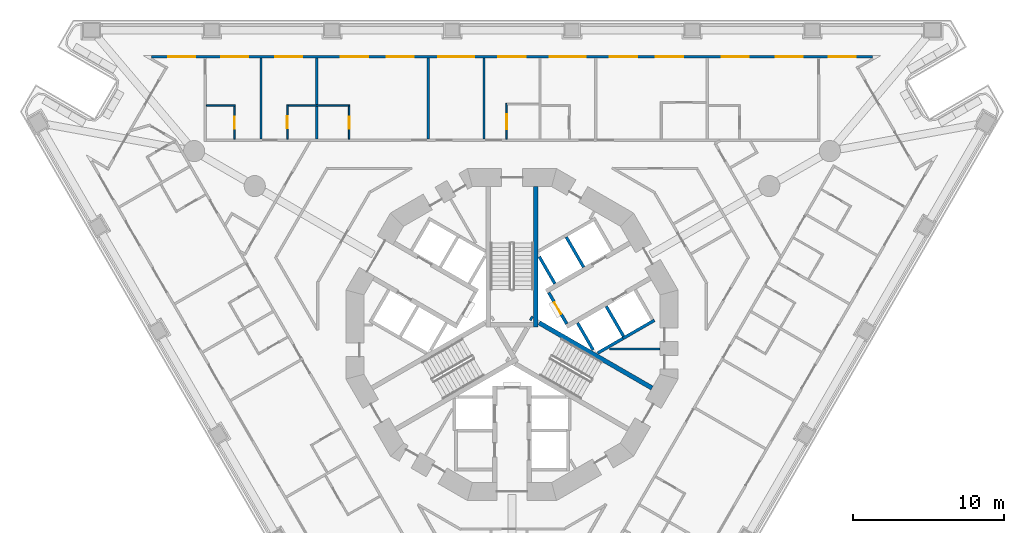
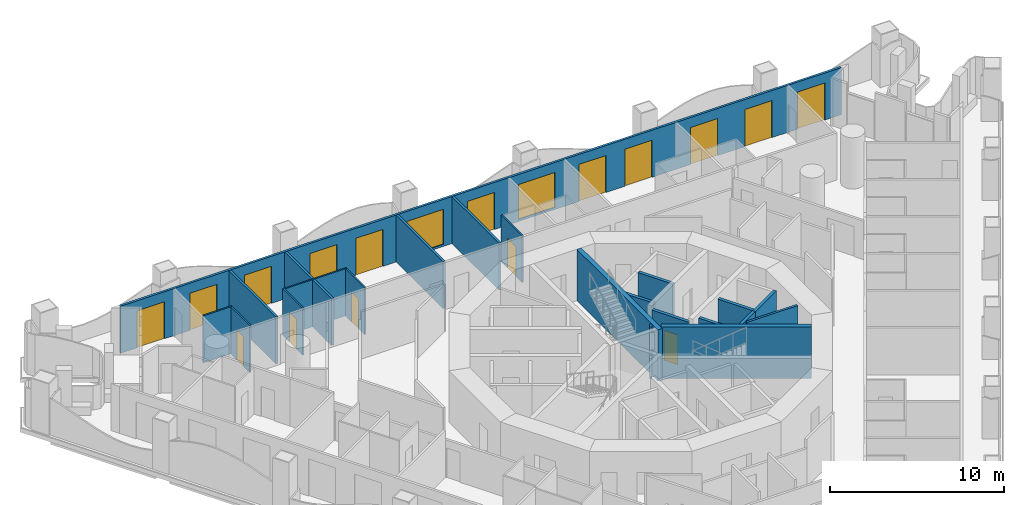
# One storey, part 8 of 20: 22 walls, 16 doors, 2 windows, 18 openings.
"""IFC4 building model written with IfcOpenShell, lengths in metres."""

from ifc_helpers import new_model, si_unit, direction, frame, frame_2d, origin, place, context, subcontext, project, spatial, polyline, rectangle, outline, extrude, material, layer, layer_set, type_object, element, fill, save


model = new_model("IFC4")

# Units and contexts
model_context = context("Model", 3, precision=1e-05, world=origin(), true_north=direction((0.0, 1.0)))
body_context = subcontext(model_context, "Body", "Model", "MODEL_VIEW")
ifc_project = project(units=[si_unit("LENGTHUNIT", "METRE"), si_unit("AREAUNIT", "SQUARE_METRE"), si_unit("VOLUMEUNIT", "CUBIC_METRE"), si_unit("PLANEANGLEUNIT", "RADIAN"), si_unit("MASSUNIT", "GRAM", prefix="KILO")], contexts=[model_context])

# Site, building, storey
site_placement = place(None, origin())
site = spatial("IfcSite", under=ifc_project, at=site_placement, CompositionType="ELEMENT")
building_placement = place(site_placement, origin())
building = spatial("IfcBuilding", under=site, at=building_placement, Name="Trine Commons Tower", CompositionType="ELEMENT")
storey_placement = place(building_placement, frame((0.0, 0.0, 38.699951171875)))
storey = spatial("IfcBuildingStorey", under=building, at=storey_placement, Name="L08", CompositionType="ELEMENT", Elevation=38.699951171875)

# Wall
ifc_material_1 = material(Name="Plasterboard partition on steel studs", Category="steel")
ifc_layer_1 = layer(ifc_material_1, 0.14990234375)
ifc_layer_set_1 = layer_set([ifc_layer_1], Name="Plasterboard partition on steel studs")
wall_type_1 = type_object("IfcWallType", Name="Core room partition 150 mm, EI 60", PredefinedType="PARTITIONING", material=ifc_layer_set_1)
wall_1_placement = place(storey_placement, frame((89.81201171875, 61.537109375, 0.0), z_axis=(0.0, 0.0, 1.0), x_axis=(-1.0, 0.0, 0.0)))
element("IfcWall", 1, at=wall_1_placement, inside=storey, type_object=wall_type_1, Name="Core room partition L08", PredefinedType="PARTITIONING", context=body_context, shape_type="SweptSolid", body=[
    extrude(rectangle(XDim=3.35107421875, YDim=0.14990234375, at=frame_2d((1.675537109375, 0.0))), origin(), (0.0, 0.0, 1.0), 3.300048828125),
])

# Wall, openings, windows, doors
ifc_material_2 = material(Name="Aluminium-framed insulated wall panel", Category="aluminium")
ifc_layer_2 = layer(ifc_material_2, 0.14990234375)
ifc_layer_set_2 = layer_set([ifc_layer_2], Name="Aluminium-framed insulated wall panel")
wall_type_2 = type_object("IfcWallType", Name="Glazed frame wall 150, EI 60", PredefinedType="SOLIDWALL", material=ifc_layer_set_2)
wall_2_placement = place(storey_placement, frame((55.956787109375, 80.919677734375, 0.0), z_axis=(0.0, 0.0, 1.0), x_axis=(1.0, 0.0, 0.0)))
wall_2 = element("IfcWall", 2, at=wall_2_placement, inside=storey, type_object=wall_type_2, Name="Glazed frame wall F1", PredefinedType="SOLIDWALL", context=body_context, shape_type="SweptSolid", body=[
    extrude(outline(polyline([(0.1494140625, 0.074951171875), (0.1494140625, -0.074951171875), (47.93701171875, -0.074951171875), (47.93701171875, 0.074951171875), (0.1494140625, 0.074951171875)])), origin(), (0.0, 0.0, 1.0), 3.300048828125),
])
opening_1_placement = place(wall_2_placement, frame((1.24951171875, 0.0, 0.0)))
opening_1 = element("IfcOpeningElement", 3, at=opening_1_placement, cuts=wall_2, Name="Opening BD-1F1-01", PredefinedType="OPENING", context=body_context, shape_type="SweptSolid", body=[
    extrude(rectangle(XDim=1.800048828125, YDim=2.60009765625, at=frame_2d((0.89990234375, 1.300048828125))), frame((0.0, 0.0849609375, 0.0), z_axis=(0.0, -1.0, 0.0), x_axis=(1.0, 0.0, 0.0)), (0.0, 0.0, 1.0), 0.169921875),
])
opening_2_placement = place(wall_2_placement, frame((4.748291015625, 0.0, 0.0)))
opening_2 = element("IfcOpeningElement", 4, at=opening_2_placement, cuts=wall_2, Name="Opening BD-1F1-02", PredefinedType="OPENING", context=body_context, shape_type="SweptSolid", body=[
    extrude(rectangle(XDim=1.800048828125, YDim=2.60009765625, at=frame_2d((0.89990234375, 1.300048828125))), frame((0.0, 0.0849609375, 0.0), z_axis=(0.0, -1.0, 0.0), x_axis=(1.0, 0.0, 0.0)), (0.0, 0.0, 1.0), 0.169921875),
])
opening_3_placement = place(wall_2_placement, frame((8.347412109375, 0.0, 0.0)))
opening_3 = element("IfcOpeningElement", 5, at=opening_3_placement, cuts=wall_2, Name="Opening BD-1F1-03", PredefinedType="OPENING", context=body_context, shape_type="SweptSolid", body=[
    extrude(rectangle(XDim=1.800048828125, YDim=2.60009765625, at=frame_2d((0.89990234375, 1.300048828125))), frame((0.0, 0.0849609375, 0.0), z_axis=(0.0, -1.0, 0.0), x_axis=(1.0, 0.0, 0.0)), (0.0, 0.0, 1.0), 0.169921875),
])
opening_4_placement = place(wall_2_placement, frame((12.69580078125, 0.0, 0.0)))
opening_4 = element("IfcOpeningElement", 6, at=opening_4_placement, cuts=wall_2, Name="Opening BD-1F1-04", PredefinedType="OPENING", context=body_context, shape_type="SweptSolid", body=[
    extrude(rectangle(XDim=1.800048828125, YDim=2.60009765625, at=frame_2d((0.89990234375, 1.300048828125))), frame((0.0, 0.0849609375, 0.0), z_axis=(0.0, -1.0, 0.0), x_axis=(1.0, 0.0, 0.0)), (0.0, 0.0, 1.0), 0.169921875),
])
opening_5_placement = place(wall_2_placement, frame((15.7451171875, 0.0, 0.0)))
opening_5 = element("IfcOpeningElement", 7, at=opening_5_placement, cuts=wall_2, Name="Opening BD-1F1-05", PredefinedType="OPENING", context=body_context, shape_type="SweptSolid", body=[
    extrude(rectangle(XDim=1.800048828125, YDim=2.60009765625, at=frame_2d((0.89990234375, 1.300048828125))), frame((0.0, 0.0849609375, 0.0), z_axis=(0.0, -1.0, 0.0), x_axis=(1.0, 0.0, 0.0)), (0.0, 0.0, 1.0), 0.169921875),
])
opening_6_placement = place(wall_2_placement, frame((19.14404296875, 0.0, 0.14990234375)))
opening_6 = element("IfcOpeningElement", 8, at=opening_6_placement, cuts=wall_2, Name="Opening W-1F1-06", PredefinedType="OPENING", context=body_context, shape_type="SweptSolid", body=[
    extrude(rectangle(XDim=2.39990234375, YDim=2.449951171875, at=frame_2d((1.199951171875, 1.22509765625))), frame((0.0, 0.0849609375, 0.0), z_axis=(0.0, -1.0, 0.0), x_axis=(1.0, 0.0, 0.0)), (0.0, 0.0, 1.0), 0.169921875),
])
opening_7_placement = place(wall_2_placement, frame((23.142822265625, 0.0, 0.0)))
opening_7 = element("IfcOpeningElement", 9, at=opening_7_placement, cuts=wall_2, Name="Opening BD-1F1-07", PredefinedType="OPENING", context=body_context, shape_type="SweptSolid", body=[
    extrude(rectangle(XDim=1.800048828125, YDim=2.60009765625, at=frame_2d((0.89990234375, 1.300048828125))), frame((0.0, 0.0849609375, 0.0), z_axis=(0.0, -1.0, 0.0), x_axis=(1.0, 0.0, 0.0)), (0.0, 0.0, 1.0), 0.169921875),
])
opening_8_placement = place(wall_2_placement, frame((26.541748046875, 0.0, 0.14990234375)))
opening_8 = element("IfcOpeningElement", 10, at=opening_8_placement, cuts=wall_2, Name="Opening W-1F1-08", PredefinedType="OPENING", context=body_context, shape_type="SweptSolid", body=[
    extrude(rectangle(XDim=2.39990234375, YDim=2.449951171875, at=frame_2d((1.199951171875, 1.22509765625))), frame((0.0, 0.0849609375, 0.0), z_axis=(0.0, -1.0, 0.0), x_axis=(1.0, 0.0, 0.0)), (0.0, 0.0, 1.0), 0.169921875),
])
opening_9_placement = place(wall_2_placement, frame((30.54052734375, 0.0, 0.0)))
opening_9 = element("IfcOpeningElement", 11, at=opening_9_placement, cuts=wall_2, Name="Opening BD-1F1-09", PredefinedType="OPENING", context=body_context, shape_type="SweptSolid", body=[
    extrude(rectangle(XDim=1.800048828125, YDim=2.60009765625, at=frame_2d((0.89990234375, 1.300048828125))), frame((0.0, 0.0849609375, 0.0), z_axis=(0.0, -1.0, 0.0), x_axis=(1.0, 0.0, 0.0)), (0.0, 0.0, 1.0), 0.169921875),
])
opening_10_placement = place(wall_2_placement, frame((33.590087890625, 0.0, 0.0)))
opening_10 = element("IfcOpeningElement", 12, at=opening_10_placement, cuts=wall_2, Name="Opening BD-1F1-10", PredefinedType="OPENING", context=body_context, shape_type="SweptSolid", body=[
    extrude(rectangle(XDim=1.800048828125, YDim=2.60009765625, at=frame_2d((0.89990234375, 1.300048828125))), frame((0.0, 0.0849609375, 0.0), z_axis=(0.0, -1.0, 0.0), x_axis=(1.0, 0.0, 0.0)), (0.0, 0.0, 1.0), 0.169921875),
])
opening_11_placement = place(wall_2_placement, frame((37.9384765625, 0.0, 0.0)))
opening_11 = element("IfcOpeningElement", 13, at=opening_11_placement, cuts=wall_2, Name="Opening BD-1F1-11", PredefinedType="OPENING", context=body_context, shape_type="SweptSolid", body=[
    extrude(rectangle(XDim=1.800048828125, YDim=2.60009765625, at=frame_2d((0.89990234375, 1.300048828125))), frame((0.0, 0.0849609375, 0.0), z_axis=(0.0, -1.0, 0.0), x_axis=(1.0, 0.0, 0.0)), (0.0, 0.0, 1.0), 0.169921875),
])
opening_12_placement = place(wall_2_placement, frame((41.537353515625, 0.0, 0.0)))
opening_12 = element("IfcOpeningElement", 14, at=opening_12_placement, cuts=wall_2, Name="Opening BD-1F1-12", PredefinedType="OPENING", context=body_context, shape_type="SweptSolid", body=[
    extrude(rectangle(XDim=1.800048828125, YDim=2.60009765625, at=frame_2d((0.89990234375, 1.300048828125))), frame((0.0, 0.0849609375, 0.0), z_axis=(0.0, -1.0, 0.0), x_axis=(1.0, 0.0, 0.0)), (0.0, 0.0, 1.0), 0.169921875),
])
opening_13_placement = place(wall_2_placement, frame((45.036376953125, 0.0, 0.0)))
opening_13 = element("IfcOpeningElement", 15, at=opening_13_placement, cuts=wall_2, Name="Opening BD-1F1-13", PredefinedType="OPENING", context=body_context, shape_type="SweptSolid", body=[
    extrude(rectangle(XDim=1.800048828125, YDim=2.60009765625, at=frame_2d((0.89990234375, 1.300048828125))), frame((0.0, 0.0849609375, 0.0), z_axis=(0.0, -1.0, 0.0), x_axis=(1.0, 0.0, 0.0)), (0.0, 0.0, 1.0), 0.169921875),
])
ifc_material_3 = material(Name="Anodised aluminium frame with double glazing", Category="aluminium")
window_type = type_object("IfcWindowType", Name="Fixed window 2400x2450", PartitioningType="SINGLE_PANEL", PredefinedType="WINDOW", material=ifc_material_3)
window_1_placement = place(opening_6_placement, origin())
window_1 = element("IfcWindow", 16, at=window_1_placement, inside=storey, type_object=window_type, Name="Window F1 6", OverallHeight=2.449951171875, OverallWidth=2.39990234375, PartitioningType="SINGLE_PANEL", PredefinedType="WINDOW", context=body_context, shape_type="SweptSolid", body=[
    extrude(rectangle(XDim=2.39990234375, YDim=2.449951171875, at=frame_2d((1.199951171875, 1.22509765625))), frame((0.0, 0.030029296875, 0.0), z_axis=(0.0, -1.0, 0.0), x_axis=(1.0, 0.0, 0.0)), (0.0, 0.0, 1.0), 0.06005859375),
])
fill(opening_6, window_1)
window_2_placement = place(opening_8_placement, origin())
window_2 = element("IfcWindow", 17, at=window_2_placement, inside=storey, type_object=window_type, Name="Window F1 8", OverallHeight=2.449951171875, OverallWidth=2.39990234375, PartitioningType="SINGLE_PANEL", PredefinedType="WINDOW", context=body_context, shape_type="SweptSolid", body=[
    extrude(rectangle(XDim=2.39990234375, YDim=2.449951171875, at=frame_2d((1.199951171875, 1.22509765625))), frame((0.0, 0.030029296875, 0.0), z_axis=(0.0, -1.0, 0.0), x_axis=(1.0, 0.0, 0.0)), (0.0, 0.0, 1.0), 0.06005859375),
])
fill(opening_8, window_2)
door_type_1 = type_object("IfcDoorType", Name="Sliding loggia door 1800x2600", OperationType="SLIDING_TO_LEFT", PredefinedType="DOOR", material=ifc_material_3)
door_1_placement = place(opening_1_placement, origin())
door_1 = element("IfcDoor", 18, at=door_1_placement, inside=storey, type_object=door_type_1, Name="Loggia door F1 1", OperationType="SLIDING_TO_LEFT", OverallHeight=2.60009765625, OverallWidth=1.800048828125, PredefinedType="DOOR", context=body_context, shape_type="SweptSolid", body=[
    extrude(rectangle(XDim=1.800048828125, YDim=2.60009765625, at=frame_2d((0.89990234375, 1.300048828125))), frame((0.0, 0.02490234375, 0.0), z_axis=(0.0, -1.0, 0.0), x_axis=(1.0, 0.0, 0.0)), (0.0, 0.0, 1.0), 0.050048828125),
])
fill(opening_1, door_1)
door_2_placement = place(opening_2_placement, origin())
door_2 = element("IfcDoor", 19, at=door_2_placement, inside=storey, type_object=door_type_1, Name="Loggia door F1 2", OperationType="SLIDING_TO_LEFT", OverallHeight=2.60009765625, OverallWidth=1.800048828125, PredefinedType="DOOR", context=body_context, shape_type="SweptSolid", body=[
    extrude(rectangle(XDim=1.800048828125, YDim=2.60009765625, at=frame_2d((0.89990234375, 1.300048828125))), frame((0.0, 0.02490234375, 0.0), z_axis=(0.0, -1.0, 0.0), x_axis=(1.0, 0.0, 0.0)), (0.0, 0.0, 1.0), 0.050048828125),
])
fill(opening_2, door_2)
door_3_placement = place(opening_3_placement, origin())
door_3 = element("IfcDoor", 20, at=door_3_placement, inside=storey, type_object=door_type_1, Name="Loggia door F1 3", OperationType="SLIDING_TO_LEFT", OverallHeight=2.60009765625, OverallWidth=1.800048828125, PredefinedType="DOOR", context=body_context, shape_type="SweptSolid", body=[
    extrude(rectangle(XDim=1.800048828125, YDim=2.60009765625, at=frame_2d((0.89990234375, 1.300048828125))), frame((0.0, 0.02490234375, 0.0), z_axis=(0.0, -1.0, 0.0), x_axis=(1.0, 0.0, 0.0)), (0.0, 0.0, 1.0), 0.050048828125),
])
fill(opening_3, door_3)
door_4_placement = place(opening_4_placement, origin())
door_4 = element("IfcDoor", 21, at=door_4_placement, inside=storey, type_object=door_type_1, Name="Loggia door F1 4", OperationType="SLIDING_TO_LEFT", OverallHeight=2.60009765625, OverallWidth=1.800048828125, PredefinedType="DOOR", context=body_context, shape_type="SweptSolid", body=[
    extrude(rectangle(XDim=1.800048828125, YDim=2.60009765625, at=frame_2d((0.89990234375, 1.300048828125))), frame((0.0, 0.02490234375, 0.0), z_axis=(0.0, -1.0, 0.0), x_axis=(1.0, 0.0, 0.0)), (0.0, 0.0, 1.0), 0.050048828125),
])
fill(opening_4, door_4)
door_5_placement = place(opening_5_placement, origin())
door_5 = element("IfcDoor", 22, at=door_5_placement, inside=storey, type_object=door_type_1, Name="Loggia door F1 5", OperationType="SLIDING_TO_LEFT", OverallHeight=2.60009765625, OverallWidth=1.800048828125, PredefinedType="DOOR", context=body_context, shape_type="SweptSolid", body=[
    extrude(rectangle(XDim=1.800048828125, YDim=2.60009765625, at=frame_2d((0.89990234375, 1.300048828125))), frame((0.0, 0.02490234375, 0.0), z_axis=(0.0, -1.0, 0.0), x_axis=(1.0, 0.0, 0.0)), (0.0, 0.0, 1.0), 0.050048828125),
])
fill(opening_5, door_5)
door_6_placement = place(opening_7_placement, origin())
door_6 = element("IfcDoor", 23, at=door_6_placement, inside=storey, type_object=door_type_1, Name="Loggia door F1 7", OperationType="SLIDING_TO_LEFT", OverallHeight=2.60009765625, OverallWidth=1.800048828125, PredefinedType="DOOR", context=body_context, shape_type="SweptSolid", body=[
    extrude(rectangle(XDim=1.800048828125, YDim=2.60009765625, at=frame_2d((0.89990234375, 1.300048828125))), frame((0.0, 0.02490234375, 0.0), z_axis=(0.0, -1.0, 0.0), x_axis=(1.0, 0.0, 0.0)), (0.0, 0.0, 1.0), 0.050048828125),
])
fill(opening_7, door_6)
door_7_placement = place(opening_9_placement, origin())
door_7 = element("IfcDoor", 24, at=door_7_placement, inside=storey, type_object=door_type_1, Name="Loggia door F1 9", OperationType="SLIDING_TO_LEFT", OverallHeight=2.60009765625, OverallWidth=1.800048828125, PredefinedType="DOOR", context=body_context, shape_type="SweptSolid", body=[
    extrude(rectangle(XDim=1.800048828125, YDim=2.60009765625, at=frame_2d((0.89990234375, 1.300048828125))), frame((0.0, 0.02490234375, 0.0), z_axis=(0.0, -1.0, 0.0), x_axis=(1.0, 0.0, 0.0)), (0.0, 0.0, 1.0), 0.050048828125),
])
fill(opening_9, door_7)
door_8_placement = place(opening_10_placement, origin())
door_8 = element("IfcDoor", 25, at=door_8_placement, inside=storey, type_object=door_type_1, Name="Loggia door F1 10", OperationType="SLIDING_TO_LEFT", OverallHeight=2.60009765625, OverallWidth=1.800048828125, PredefinedType="DOOR", context=body_context, shape_type="SweptSolid", body=[
    extrude(rectangle(XDim=1.800048828125, YDim=2.60009765625, at=frame_2d((0.89990234375, 1.300048828125))), frame((0.0, 0.02490234375, 0.0), z_axis=(0.0, -1.0, 0.0), x_axis=(1.0, 0.0, 0.0)), (0.0, 0.0, 1.0), 0.050048828125),
])
fill(opening_10, door_8)
door_9_placement = place(opening_11_placement, origin())
door_9 = element("IfcDoor", 26, at=door_9_placement, inside=storey, type_object=door_type_1, Name="Loggia door F1 11", OperationType="SLIDING_TO_LEFT", OverallHeight=2.60009765625, OverallWidth=1.800048828125, PredefinedType="DOOR", context=body_context, shape_type="SweptSolid", body=[
    extrude(rectangle(XDim=1.800048828125, YDim=2.60009765625, at=frame_2d((0.89990234375, 1.300048828125))), frame((0.0, 0.02490234375, 0.0), z_axis=(0.0, -1.0, 0.0), x_axis=(1.0, 0.0, 0.0)), (0.0, 0.0, 1.0), 0.050048828125),
])
fill(opening_11, door_9)
door_10_placement = place(opening_12_placement, origin())
door_10 = element("IfcDoor", 27, at=door_10_placement, inside=storey, type_object=door_type_1, Name="Loggia door F1 12", OperationType="SLIDING_TO_LEFT", OverallHeight=2.60009765625, OverallWidth=1.800048828125, PredefinedType="DOOR", context=body_context, shape_type="SweptSolid", body=[
    extrude(rectangle(XDim=1.800048828125, YDim=2.60009765625, at=frame_2d((0.89990234375, 1.300048828125))), frame((0.0, 0.02490234375, 0.0), z_axis=(0.0, -1.0, 0.0), x_axis=(1.0, 0.0, 0.0)), (0.0, 0.0, 1.0), 0.050048828125),
])
fill(opening_12, door_10)
door_11_placement = place(opening_13_placement, origin())
door_11 = element("IfcDoor", 28, at=door_11_placement, inside=storey, type_object=door_type_1, Name="Loggia door F1 13", OperationType="SLIDING_TO_LEFT", OverallHeight=2.60009765625, OverallWidth=1.800048828125, PredefinedType="DOOR", context=body_context, shape_type="SweptSolid", body=[
    extrude(rectangle(XDim=1.800048828125, YDim=2.60009765625, at=frame_2d((0.89990234375, 1.300048828125))), frame((0.0, 0.02490234375, 0.0), z_axis=(0.0, -1.0, 0.0), x_axis=(1.0, 0.0, 0.0)), (0.0, 0.0, 1.0), 0.050048828125),
])
fill(opening_13, door_11)

# Wall, opening, door
ifc_material_4 = material(Name="Fire-rated gypsum shaft wall system")
ifc_layer_3 = layer(ifc_material_4, 0.199951171875)
ifc_layer_set_3 = layer_set([ifc_layer_3], Name="Fire-rated gypsum shaft wall system")
wall_type_3 = type_object("IfcWallType", Name="Lobby end wall 200 mm, EI 120", PredefinedType="PARTITIONING", material=ifc_layer_set_3)
wall_3_placement = place(storey_placement, frame((83.631103515625, 63.2109375, 0.0), z_axis=(0.0, 0.0, 1.0), x_axis=(-0.50012165622, 0.865955154139, 0.0)))
wall_3 = element("IfcWall", 29, at=wall_3_placement, inside=storey, type_object=wall_type_3, Name="Lobby end wall L08", PredefinedType="PARTITIONING", context=body_context, shape_type="SweptSolid", body=[
    extrude(rectangle(XDim=2.39990234375, YDim=0.199951171875, at=frame_2d((1.199951171875, 0.0))), origin(), (0.0, 0.0, 1.0), 3.300048828125),
])
opening_14_placement = place(wall_3_placement, frame((0.749755859375, 0.0, 0.0)))
opening_14 = element("IfcOpeningElement", 30, at=opening_14_placement, cuts=wall_3, Name="Opening K07.05", PredefinedType="OPENING", context=body_context, shape_type="SweptSolid", body=[
    extrude(rectangle(XDim=0.89990234375, YDim=2.10009765625, at=frame_2d((0.449951171875, 1.050048828125))), frame((0.0, 0.10986328125, 0.0), z_axis=(0.0, -1.0, 0.0), x_axis=(1.0, 0.0, 0.0)), (0.0, 0.0, 1.0), 0.219970703125),
])
ifc_material_5 = material(Name="Steel door leaf, fire-rated", Category="steel")
door_type_2 = type_object("IfcDoorType", Name="Riser access door, single leaf 900 x 2100, FD60", OperationType="SINGLE_SWING_LEFT", PredefinedType="DOOR", material=ifc_material_5)
door_12_placement = place(opening_14_placement, frame((0.89990234375, 0.0, 0.0), z_axis=(0.0, 0.0, 1.0), x_axis=(-1.0, 0.0, 0.0)))
door_12 = element("IfcDoor", 31, at=door_12_placement, inside=storey, type_object=door_type_2, Name="Riser door, Electrical riser L08", OperationType="SINGLE_SWING_LEFT", OverallHeight=2.10009765625, OverallWidth=0.89990234375, PredefinedType="DOOR", context=body_context, shape_type="SweptSolid", body=[
    extrude(rectangle(XDim=0.89990234375, YDim=2.10009765625, at=frame_2d((0.449951171875, 1.050048828125))), frame((0.0, 0.02490234375, 0.0), z_axis=(0.0, -1.0, 0.0), x_axis=(1.0, 0.0, 0.0)), (0.0, 0.0, 1.0), 0.050048828125),
])
fill(opening_14, door_12)

# Walls
ifc_material_6 = material(Name="Concrete C80/95", Category="concrete")
ifc_layer_4 = layer(ifc_material_6, 0.300048828125)
ifc_layer_set_4 = layer_set([ifc_layer_4], Name="Concrete C80/95")
wall_type_4 = type_object("IfcWallType", Name="RC shear wall 300 mm, C80/95", PredefinedType="SHEAR", material=ifc_layer_set_4)
wall_4_placement = place(storey_placement, frame((81.220947265625, 63.614013671875, 0.0), z_axis=(0.0, 0.0, 1.0), x_axis=(0.867737973955, -0.497021939713, 0.0)))
element("IfcWall", 32, at=wall_4_placement, inside=storey, type_object=wall_type_4, Name="Core cross wall SWA-15 L08", PredefinedType="SHEAR", context=body_context, shape_type="SweptSolid", body=[
    extrude(rectangle(XDim=0.14892578125, YDim=0.300048828125, at=frame_2d((0.074462890625, 0.0))), origin(), (0.0, 0.0, 1.0), 3.60009765625),
])
wall_5_placement = place(storey_placement, frame((81.574951171875, 63.0009765625, 0.0), z_axis=(0.0, 0.0, 1.0), x_axis=(0.0, 1.0, 0.0)))
element("IfcWall", 33, at=wall_5_placement, inside=storey, type_object=wall_type_4, Name="Core cross wall SWA-17 L08", PredefinedType="SHEAR", context=body_context, shape_type="SweptSolid", body=[
    extrude(rectangle(XDim=9.31103515625, YDim=0.300048828125, at=frame_2d((4.655517578125, 0.0))), origin(), (0.0, 0.0, 1.0), 3.60009765625),
])
wall_6_placement = place(storey_placement, frame((81.800048828125, 63.280029296875, 0.0), z_axis=(0.0, 0.0, 1.0), x_axis=(0.865965399159, -0.500103916661, 0.0)))
element("IfcWall", 34, at=wall_6_placement, inside=storey, type_object=wall_type_4, Name="Core cross wall SWA-18 L08", PredefinedType="SHEAR", context=body_context, shape_type="SweptSolid", body=[
    extrude(rectangle(XDim=8.642333984375, YDim=0.300048828125, at=frame_2d((4.3212890625, 0.0))), origin(), (0.0, 0.0, 1.0), 3.60009765625),
])
ifc_layer_5 = layer(ifc_material_4, 0.199951171875)
ifc_layer_set_5 = layer_set([ifc_layer_5], Name="Fire-rated gypsum shaft wall system")
wall_type_5 = type_object("IfcWallType", Name="Shaft wall 200 mm, EI 120", PredefinedType="PARTITIONING", material=ifc_layer_set_5)
wall_7_placement = place(storey_placement, frame((82.843994140625, 65.8740234375, 0.0), z_axis=(0.0, 0.0, 1.0), x_axis=(-0.499865770674, 0.866102887253, 0.0)))
element("IfcWall", 35, at=wall_7_placement, inside=storey, type_object=wall_type_5, Name="Shaft wall L08", PredefinedType="PARTITIONING", context=body_context, shape_type="SweptSolid", body=[
    extrude(rectangle(XDim=2.064453125, YDim=0.199951171875, at=frame_2d((1.0322265625, 0.0))), origin(), (0.0, 0.0, 1.0), 3.300048828125),
])
wall_8_placement = place(storey_placement, frame((84.343994140625, 63.27587890625, 0.0), z_axis=(0.0, 0.0, 1.0), x_axis=(0.500271688072, -0.86586848777, 0.0)))
element("IfcWall", 36, at=wall_8_placement, inside=storey, type_object=wall_type_5, Name="Shaft wall L08", PredefinedType="PARTITIONING", context=body_context, shape_type="SweptSolid", body=[
    extrude(rectangle(XDim=2.064697265625, YDim=0.199951171875, at=frame_2d((1.0322265625, 0.0))), origin(), (0.0, 0.0, 1.0), 3.300048828125),
])
wall_9_placement = place(storey_placement, frame((84.7490234375, 66.97412109375, 0.0), z_axis=(0.0, 0.0, 1.0), x_axis=(-0.500136062276, 0.86594683394, 0.0)))
element("IfcWall", 37, at=wall_9_placement, inside=storey, type_object=wall_type_5, Name="Shaft wall L08", PredefinedType="PARTITIONING", context=body_context, shape_type="SweptSolid", body=[
    extrude(rectangle(XDim=2.299072265625, YDim=0.199951171875, at=frame_2d((1.1494140625, 0.0))), origin(), (0.0, 0.0, 1.0), 3.300048828125),
])
wall_10_placement = place(storey_placement, frame((85.675048828125, 61.27294921875, 0.0), z_axis=(0.0, 0.0, 1.0), x_axis=(0.865780634835, 0.500423712812, 0.0)))
element("IfcWall", 38, at=wall_10_placement, inside=storey, type_object=wall_type_5, Name="Shaft wall L08", PredefinedType="PARTITIONING", context=body_context, shape_type="SweptSolid", body=[
    extrude(rectangle(XDim=1.948486328125, YDim=0.199951171875, at=frame_2d((0.97412109375, 0.0))), origin(), (0.0, 0.0, 1.0), 3.300048828125),
])
wall_11_placement = place(storey_placement, frame((86.2490234375, 64.3759765625, 0.0), z_axis=(0.0, 0.0, 1.0), x_axis=(0.500136062276, -0.86594683394, 0.0)))
element("IfcWall", 39, at=wall_11_placement, inside=storey, type_object=wall_type_5, Name="Shaft wall L08", PredefinedType="PARTITIONING", context=body_context, shape_type="SweptSolid", body=[
    extrude(rectangle(XDim=2.299072265625, YDim=0.199951171875, at=frame_2d((1.1494140625, 0.0))), origin(), (0.0, 0.0, 1.0), 3.300048828125),
])
wall_12_placement = place(storey_placement, frame((87.362060546875, 62.248046875, 0.0), z_axis=(0.0, 0.0, 1.0), x_axis=(0.866177122335, 0.499737123639, 0.0)))
element("IfcWall", 40, at=wall_12_placement, inside=storey, type_object=wall_type_5, Name="Shaft wall L08", PredefinedType="PARTITIONING", context=body_context, shape_type="SweptSolid", body=[
    extrude(rectangle(XDim=2.401123046875, YDim=0.199951171875, at=frame_2d((1.20068359375, 0.0))), origin(), (0.0, 0.0, 1.0), 3.300048828125),
])
ifc_material_7 = material(Name="Gypsum plasterboard on steel stud", Category="steel")
ifc_layer_6 = layer(ifc_material_7, 0.14990234375)
ifc_layer_set_6 = layer_set([ifc_layer_6], Name="Gypsum plasterboard on steel stud")
wall_type_6 = type_object("IfcWallType", Name="Unit and corridor wall 150 mm, EI 60", PredefinedType="PARTITIONING", material=ifc_layer_set_6)
for number, where, z_axis, x_axis, name in (
    (41, (63.35498046875, 75.4619140625, 0.0), (0.0, 0.0, 1.0), (0.0, 1.0, 0.0), "Partition 028"),
    (42, (67.053955078125, 75.4619140625, 0.0), (0.0, 0.0, 1.0), (0.0, 1.0, 0.0), "Partition 037"),
    (43, (74.450927734375, 75.4619140625, 0.0), (0.0, 0.0, 1.0), (0.0, 1.0, 0.0), "Partition 055"),
    (44, (78.14990234375, 75.4619140625, 0.0), (0.0, 0.0, 1.0), (0.0, 1.0, 0.0), "Partition 064"),
):
    element("IfcWall", number, at=place(storey_placement, frame(where, z_axis=z_axis, x_axis=x_axis)), inside=storey, type_object=wall_type_6, Name=name, PredefinedType="PARTITIONING", context=body_context, shape_type="SweptSolid", body=[
        extrude(rectangle(XDim=5.383056640625, YDim=0.14990234375, at=frame_2d((2.69140625, 0.0))), origin(), (0.0, 0.0, 1.0), 3.300048828125),
    ])
ifc_layer_7 = layer(ifc_material_7, 0.10009765625)
ifc_layer_set_7 = layer_set([ifc_layer_7], Name="Gypsum plasterboard on steel stud")
wall_type_7 = type_object("IfcWallType", Name="Unit partition 100 mm, no rating", PredefinedType="PARTITIONING", material=ifc_layer_set_7)
wall_13_placement = place(storey_placement, frame((59.73095703125, 77.68701171875, 0.0), z_axis=(0.0, 0.0, 1.0), x_axis=(1.0, 0.0, 0.0)))
element("IfcWall", 45, at=wall_13_placement, inside=storey, type_object=wall_type_7, Name="Partition 014", PredefinedType="PARTITIONING", context=body_context, shape_type="SweptSolid", body=[
    extrude(rectangle(XDim=1.925048828125, YDim=0.10009765625, at=frame_2d((0.96240234375, 0.0))), origin(), (0.0, 0.0, 1.0), 3.300048828125),
])

# Wall, opening, door
wall_14_placement = place(storey_placement, frame((61.60595703125, 75.4619140625, 0.0), z_axis=(0.0, 0.0, 1.0), x_axis=(0.0, 1.0, 0.0)))
wall_14 = element("IfcWall", 46, at=wall_14_placement, inside=storey, type_object=wall_type_7, Name="Partition 021", PredefinedType="PARTITIONING", context=body_context, shape_type="SweptSolid", body=[
    extrude(rectangle(XDim=2.175048828125, YDim=0.10009765625, at=frame_2d((1.08740234375, 0.0))), origin(), (0.0, 0.0, 1.0), 3.300048828125),
])
opening_15_placement = place(wall_14_placement, frame((0.6875, 0.0, 0.0)))
opening_15 = element("IfcOpeningElement", 47, at=opening_15_placement, cuts=wall_14, Name="Opening D-1A41", PredefinedType="OPENING", context=body_context, shape_type="SweptSolid", body=[
    extrude(rectangle(XDim=0.800048828125, YDim=2.10009765625, at=frame_2d((0.39990234375, 1.050048828125))), frame((0.0, 0.06005859375, 0.0), z_axis=(0.0, -1.0, 0.0), x_axis=(1.0, 0.0, 0.0)), (0.0, 0.0, 1.0), 0.1201171875),
])
ifc_material_8 = material(Name="Painted timber", Category="wood")
door_type_3 = type_object("IfcDoorType", Name="Internal door 800 x 2100, NOT RATED", OperationType="NOTDEFINED", PredefinedType="DOOR", material=ifc_material_8)
door_13_placement = place(opening_15_placement, frame((0.800048828125, 0.0, 0.0), z_axis=(0.0, 0.0, 1.0), x_axis=(-1.0, 0.0, 0.0)))
door_13 = element("IfcDoor", 48, at=door_13_placement, inside=storey, type_object=door_type_3, Name="Door D-1A41", OperationType="SINGLE_SWING_RIGHT", OverallHeight=2.10009765625, OverallWidth=0.800048828125, PredefinedType="DOOR", context=body_context, shape_type="SweptSolid", body=[
    extrude(rectangle(XDim=0.800048828125, YDim=2.10009765625, at=frame_2d((0.39990234375, 1.050048828125))), frame((0.0, 0.02490234375, 0.0), z_axis=(0.0, -1.0, 0.0), x_axis=(1.0, 0.0, 0.0)), (0.0, 0.0, 1.0), 0.050048828125),
])
fill(opening_15, door_13)

wall_15_placement = place(storey_placement, frame((65.10400390625, 75.4619140625, 0.0), z_axis=(0.0, 0.0, 1.0), x_axis=(0.0, 1.0, 0.0)))
wall_15 = element("IfcWall", 49, at=wall_15_placement, inside=storey, type_object=wall_type_7, Name="Partition 032", PredefinedType="PARTITIONING", context=body_context, shape_type="SweptSolid", body=[
    extrude(rectangle(XDim=2.275146484375, YDim=0.10009765625, at=frame_2d((1.1376953125, 0.0))), origin(), (0.0, 0.0, 1.0), 3.300048828125),
])
opening_16_placement = place(wall_15_placement, frame((0.71240234375, 0.0, 0.0)))
opening_16 = element("IfcOpeningElement", 50, at=opening_16_placement, cuts=wall_15, Name="Opening D-1A42", PredefinedType="OPENING", context=body_context, shape_type="SweptSolid", body=[
    extrude(rectangle(XDim=0.800048828125, YDim=2.10009765625, at=frame_2d((0.39990234375, 1.050048828125))), frame((0.0, 0.06005859375, 0.0), z_axis=(0.0, -1.0, 0.0), x_axis=(1.0, 0.0, 0.0)), (0.0, 0.0, 1.0), 0.1201171875),
])
door_14_placement = place(opening_16_placement, origin())
door_14 = element("IfcDoor", 51, at=door_14_placement, inside=storey, type_object=door_type_3, Name="Door D-1A42", OperationType="SINGLE_SWING_LEFT", OverallHeight=2.10009765625, OverallWidth=0.800048828125, PredefinedType="DOOR", context=body_context, shape_type="SweptSolid", body=[
    extrude(rectangle(XDim=0.800048828125, YDim=2.10009765625, at=frame_2d((0.39990234375, 1.050048828125))), frame((0.0, 0.02490234375, 0.0), z_axis=(0.0, -1.0, 0.0), x_axis=(1.0, 0.0, 0.0)), (0.0, 0.0, 1.0), 0.050048828125),
])
fill(opening_16, door_14)

# Wall
wall_16_placement = place(storey_placement, frame((65.154052734375, 77.68701171875, 0.0), z_axis=(0.0, 0.0, 1.0), x_axis=(1.0, 0.0, 0.0)))
element("IfcWall", 52, at=wall_16_placement, inside=storey, type_object=wall_type_7, Name="Partition 033", PredefinedType="PARTITIONING", context=body_context, shape_type="SweptSolid", body=[
    extrude(rectangle(XDim=4.099853515625, YDim=0.10009765625, at=frame_2d((2.0498046875, 0.0))), origin(), (0.0, 0.0, 1.0), 3.300048828125),
])

# Wall, opening, door
wall_17_placement = place(storey_placement, frame((69.2041015625, 75.4619140625, 0.0), z_axis=(0.0, 0.0, 1.0), x_axis=(0.0, 1.0, 0.0)))
wall_17 = element("IfcWall", 53, at=wall_17_placement, inside=storey, type_object=wall_type_7, Name="Partition 045", PredefinedType="PARTITIONING", context=body_context, shape_type="SweptSolid", body=[
    extrude(rectangle(XDim=2.175048828125, YDim=0.10009765625, at=frame_2d((1.08740234375, 0.0))), origin(), (0.0, 0.0, 1.0), 3.300048828125),
])
opening_17_placement = place(wall_17_placement, frame((0.6875, 0.0, 0.0)))
opening_17 = element("IfcOpeningElement", 54, at=opening_17_placement, cuts=wall_17, Name="Opening D-1A43", PredefinedType="OPENING", context=body_context, shape_type="SweptSolid", body=[
    extrude(rectangle(XDim=0.800048828125, YDim=2.10009765625, at=frame_2d((0.39990234375, 1.050048828125))), frame((0.0, 0.06005859375, 0.0), z_axis=(0.0, -1.0, 0.0), x_axis=(1.0, 0.0, 0.0)), (0.0, 0.0, 1.0), 0.1201171875),
])
door_15_placement = place(opening_17_placement, frame((0.800048828125, 0.0, 0.0), z_axis=(0.0, 0.0, 1.0), x_axis=(-1.0, 0.0, 0.0)))
door_15 = element("IfcDoor", 55, at=door_15_placement, inside=storey, type_object=door_type_3, Name="Door D-1A43", OperationType="SINGLE_SWING_RIGHT", OverallHeight=2.10009765625, OverallWidth=0.800048828125, PredefinedType="DOOR", context=body_context, shape_type="SweptSolid", body=[
    extrude(rectangle(XDim=0.800048828125, YDim=2.10009765625, at=frame_2d((0.39990234375, 1.050048828125))), frame((0.0, 0.02490234375, 0.0), z_axis=(0.0, -1.0, 0.0), x_axis=(1.0, 0.0, 0.0)), (0.0, 0.0, 1.0), 0.050048828125),
])
fill(opening_17, door_15)

wall_18_placement = place(storey_placement, frame((79.64892578125, 75.4619140625, 0.0), z_axis=(0.0, 0.0, 1.0), x_axis=(0.0, 1.0, 0.0)))
wall_18 = element("IfcWall", 56, at=wall_18_placement, inside=storey, type_object=wall_type_7, Name="Partition 067", PredefinedType="PARTITIONING", context=body_context, shape_type="SweptSolid", body=[
    extrude(rectangle(XDim=2.375, YDim=0.10009765625, at=frame_2d((1.1875, 0.0))), origin(), (0.0, 0.0, 1.0), 3.300048828125),
])
opening_18_placement = place(wall_18_placement, frame((0.66259765625, 0.0, 0.0)))
opening_18 = element("IfcOpeningElement", 57, at=opening_18_placement, cuts=wall_18, Name="Opening D-1A44", PredefinedType="OPENING", context=body_context, shape_type="SweptSolid", body=[
    extrude(rectangle(XDim=1.0, YDim=2.10009765625, at=frame_2d((0.5, 1.050048828125))), frame((0.0, 0.06005859375, 0.0), z_axis=(0.0, -1.0, 0.0), x_axis=(1.0, 0.0, 0.0)), (0.0, 0.0, 1.0), 0.1201171875),
])
door_type_4 = type_object("IfcDoorType", Name="Internal door 1000 x 2100, NOT RATED", OperationType="NOTDEFINED", PredefinedType="DOOR", material=ifc_material_8)
door_16_placement = place(opening_18_placement, origin())
door_16 = element("IfcDoor", 58, at=door_16_placement, inside=storey, type_object=door_type_4, Name="Door D-1A44", OperationType="SINGLE_SWING_LEFT", OverallHeight=2.10009765625, OverallWidth=1.0, PredefinedType="DOOR", context=body_context, shape_type="SweptSolid", body=[
    extrude(rectangle(XDim=1.0, YDim=2.10009765625, at=frame_2d((0.5, 1.050048828125))), frame((0.0, 0.02490234375, 0.0), z_axis=(0.0, -1.0, 0.0), x_axis=(1.0, 0.0, 0.0)), (0.0, 0.0, 1.0), 0.050048828125),
])
fill(opening_18, door_16)

save(model, "model.ifc")
